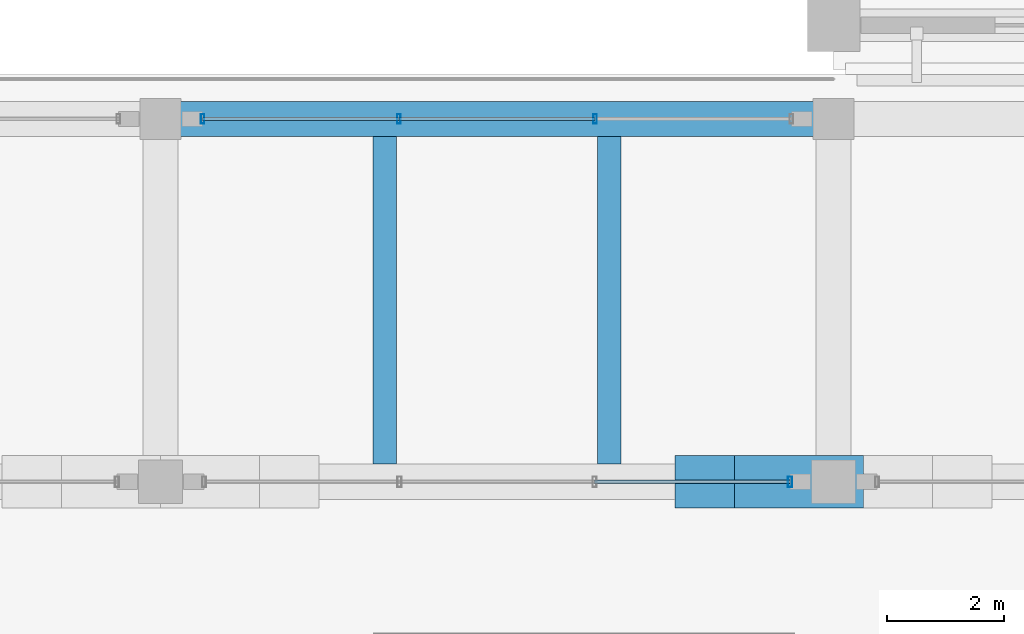
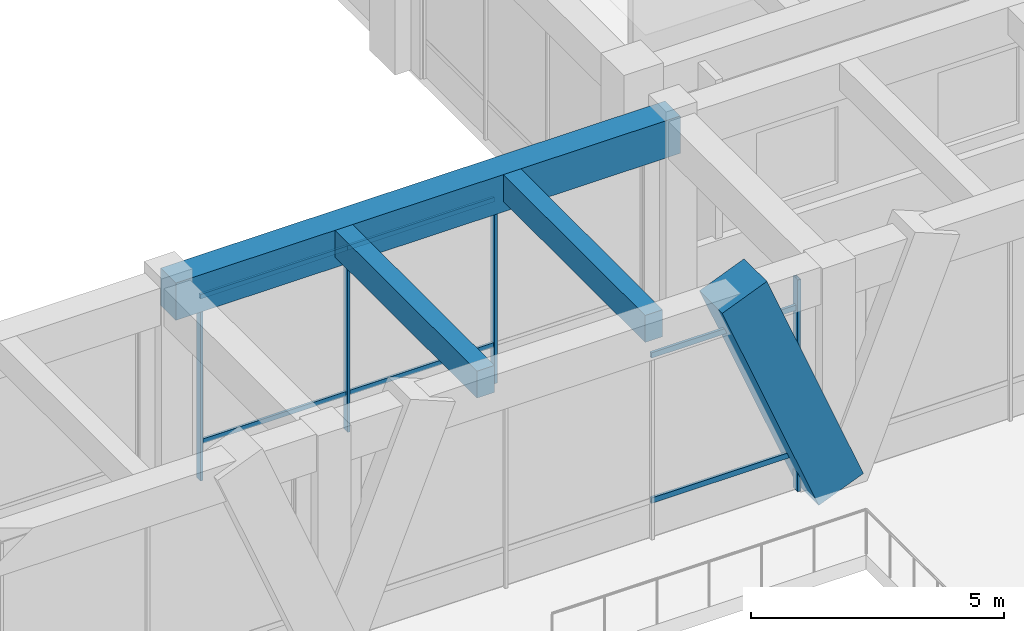
# One storey, part 72 of 148: 11 members, 3 beams, 2 elements without a shape of their own.
"""IFC4 building model written with IfcOpenShell, lengths in metres."""

from ifc_helpers import new_model, si_unit, direction, frame, origin, origin_2d, place, context, subcontext, project, spatial, rectangle, hollow_rectangle, extrude, material, material_profile, profile_set, type_object, element, aggregate, save


model = new_model("IFC4")

# Units and contexts
model_context = context("Model", 3, precision=1e-05, world=origin(), true_north=direction((0.0, 1.0)))
body_context = subcontext(model_context, "Body", "Model", "MODEL_VIEW")
ifc_project = project(units=[si_unit("LENGTHUNIT", "METRE"), si_unit("AREAUNIT", "SQUARE_METRE"), si_unit("VOLUMEUNIT", "CUBIC_METRE"), si_unit("PLANEANGLEUNIT", "RADIAN"), si_unit("MASSUNIT", "GRAM", prefix="KILO")], contexts=[model_context])

# Site, building, storey
site_placement = place(None, origin())
site = spatial("IfcSite", under=ifc_project, at=site_placement, CompositionType="ELEMENT")
building_placement = place(site_placement, origin())
building = spatial("IfcBuilding", under=site, at=building_placement, Name="Ologun Quay Terminus", CompositionType="ELEMENT")
storey_placement = place(building_placement, frame((0.0, 0.0, 8.39990234375)))
storey = spatial("IfcBuildingStorey", under=building, at=storey_placement, Name="L02", CompositionType="ELEMENT", Elevation=8.39990234375)

# Curtain wall, members
ifc_material_1 = material(Name="Aluminium 6063-T6", Category="aluminium")
curtain_wall_type_1 = type_object("IfcCurtainWallType", Name="Train Shed North Clerestory Curtain Wall 10700x4850", PredefinedType="USERDEFINED", material=ifc_material_1)
curtain_wall_1_placement = place(storey_placement, origin())
curtain_wall_1 = element("IfcCurtainWall", 1, at=curtain_wall_1_placement, inside=storey, type_object=curtain_wall_type_1, Name="CW-09 Curtain Wall CW-L02-063", ObjectType="UNITISED CURTAIN WALL", PredefinedType="USERDEFINED")
ifc_material_2 = material(Name="Aluminium 6063-T6", Category="aluminium")
ifc_material_profile_1 = material_profile(ifc_material_2, hollow_rectangle(XDim=0.070068359375, YDim=0.179931640625, WallThickness=0.0048828125, at=origin_2d()), Name="ALU 180x70x5")
ifc_profile_set_1 = profile_set([ifc_material_profile_1], Name="Aluminium 6063-T6")
member_type_1 = type_object("IfcMemberType", Name="Concourse Clerestory Mullion 180x70", PredefinedType="MULLION", material=ifc_profile_set_1)
member_1_placement = place(storey_placement, frame((114.2548828125, 78.0, 0.0), z_axis=(0.0, 0.0, 1.0), x_axis=(1.0, 0.0, 0.0)))
member_1 = element("IfcMember", 2, at=member_1_placement, type_object=member_type_1, Name="CW-L02-063 Mullion 4", PredefinedType="MULLION", context=body_context, shape_type="SweptSolid", body=[
    extrude(hollow_rectangle(XDim=0.070068359375, YDim=0.179931640625, WallThickness=0.0048828125, at=origin_2d()), origin(), (0.0, 0.0, 1.0), 5.10009765625),
])
ifc_material_3 = material(Name="Aluminium 6063-T6", Category="aluminium")
ifc_material_profile_2 = material_profile(ifc_material_3, hollow_rectangle(XDim=0.06005859375, YDim=0.1298828125, WallThickness=0.00390625, at=origin_2d()), Name="ALU 130x60x4")
ifc_profile_set_2 = profile_set([ifc_material_profile_2], Name="Aluminium 6063-T6")
member_type_2 = type_object("IfcMemberType", Name="Concourse Clerestory Transom 130x60", PredefinedType="USERDEFINED", material=ifc_profile_set_2)
member_2_placement = place(storey_placement, frame((110.918212890625, 78.0, 0.900146484375), z_axis=(1.0, 0.0, 0.0), x_axis=(0.0, 1.0, 0.0)))
member_2 = element("IfcMember", 3, at=member_2_placement, type_object=member_type_2, Name="CW-L02-063 Transom B3-1", ObjectType="TRANSOM", PredefinedType="USERDEFINED", context=body_context, shape_type="SweptSolid", body=[
    extrude(hollow_rectangle(XDim=0.06005859375, YDim=0.1298828125, WallThickness=0.00390625, at=origin_2d()), origin(), (0.0, 0.0, 1.0), 3.336669921875),
])
member_3_placement = place(storey_placement, frame((110.918212890625, 78.0, 4.400146484375), z_axis=(1.0, 0.0, 0.0), x_axis=(0.0, 1.0, 0.0)))
member_3 = element("IfcMember", 4, at=member_3_placement, type_object=member_type_2, Name="CW-L02-063 Transom B3-2", ObjectType="TRANSOM", PredefinedType="USERDEFINED", context=body_context, shape_type="SweptSolid", body=[
    extrude(hollow_rectangle(XDim=0.06005859375, YDim=0.1298828125, WallThickness=0.00390625, at=origin_2d()), origin(), (0.0, 0.0, 1.0), 3.336669921875),
])
aggregate(curtain_wall_1, [member_1, member_2, member_3])

ifc_material_4 = material(Name="Aluminium 6063-T6", Category="aluminium")
curtain_wall_type_2 = type_object("IfcCurtainWallType", Name="Courtyard Overlook Concourse Curtain Wall 10700x4750", PredefinedType="USERDEFINED", material=ifc_material_4)
curtain_wall_2_placement = place(storey_placement, origin())
curtain_wall_2 = element("IfcCurtainWall", 5, at=curtain_wall_2_placement, inside=storey, type_object=curtain_wall_type_2, Name="CW-12 Curtain Wall CW-L02-083", ObjectType="UNITISED CURTAIN WALL", PredefinedType="USERDEFINED")
ifc_material_5 = material(Name="Aluminium 6063-T6", Category="aluminium")
ifc_material_profile_3 = material_profile(ifc_material_5, hollow_rectangle(XDim=0.06005859375, YDim=0.159912109375, WallThickness=0.00390625, at=origin_2d()), Name="ALU 160x60x4")
ifc_profile_set_3 = profile_set([ifc_material_profile_3], Name="Aluminium 6063-T6")
member_type_3 = type_object("IfcMemberType", Name="Courtyard Screen Mullion 160x65", PredefinedType="MULLION", material=ifc_profile_set_3)
member_4_placement = place(storey_placement, frame((104.219970703125, 84.199951171875, 0.0), z_axis=(0.0, 0.0, 1.0), x_axis=(1.0, 0.0, 0.0)))
member_4 = element("IfcMember", 6, at=member_4_placement, type_object=member_type_3, Name="CW-L02-083 Mullion 1", PredefinedType="MULLION", context=body_context, shape_type="SweptSolid", body=[
    extrude(hollow_rectangle(XDim=0.06005859375, YDim=0.159912109375, WallThickness=0.00390625, at=origin_2d()), origin(), (0.0, 0.0, 1.0), 5.10009765625),
])
member_5_placement = place(storey_placement, frame((107.5732421875, 84.199951171875, 0.0), z_axis=(0.0, 0.0, 1.0), x_axis=(1.0, 0.0, 0.0)))
member_5 = element("IfcMember", 7, at=member_5_placement, type_object=member_type_3, Name="CW-L02-083 Mullion 2", PredefinedType="MULLION", context=body_context, shape_type="SweptSolid", body=[
    extrude(hollow_rectangle(XDim=0.06005859375, YDim=0.159912109375, WallThickness=0.00390625, at=origin_2d()), origin(), (0.0, 0.0, 1.0), 5.10009765625),
])
member_6_placement = place(storey_placement, frame((110.9267578125, 84.199951171875, 0.0), z_axis=(0.0, 0.0, 1.0), x_axis=(1.0, 0.0, 0.0)))
member_6 = element("IfcMember", 8, at=member_6_placement, type_object=member_type_3, Name="CW-L02-083 Mullion 3", PredefinedType="MULLION", context=body_context, shape_type="SweptSolid", body=[
    extrude(hollow_rectangle(XDim=0.06005859375, YDim=0.159912109375, WallThickness=0.00390625, at=origin_2d()), origin(), (0.0, 0.0, 1.0), 5.10009765625),
])
ifc_material_6 = material(Name="Aluminium 6063-T6", Category="aluminium")
ifc_material_profile_4 = material_profile(ifc_material_6, hollow_rectangle(XDim=0.054931640625, YDim=0.110107421875, WallThickness=0.00390625, at=origin_2d()), Name="ALU 110x55x4")
ifc_profile_set_4 = profile_set([ifc_material_profile_4], Name="Aluminium 6063-T6")
member_type_4 = type_object("IfcMemberType", Name="Courtyard Screen Transom 110x55", PredefinedType="USERDEFINED", material=ifc_profile_set_4)
member_7_placement = place(storey_placement, frame((104.219970703125, 84.199951171875, 0.900146484375), z_axis=(1.0, 0.0, 0.0), x_axis=(0.0, 1.0, 0.0)))
member_7 = element("IfcMember", 9, at=member_7_placement, type_object=member_type_4, Name="CW-L02-083 Transom B1-1", ObjectType="TRANSOM", PredefinedType="USERDEFINED", context=body_context, shape_type="SweptSolid", body=[
    extrude(hollow_rectangle(XDim=0.054931640625, YDim=0.110107421875, WallThickness=0.00390625, at=origin_2d()), origin(), (0.0, 0.0, 1.0), 3.353271484375),
])
member_8_placement = place(storey_placement, frame((104.219970703125, 84.199951171875, 4.400146484375), z_axis=(1.0, 0.0, 0.0), x_axis=(0.0, 1.0, 0.0)))
member_8 = element("IfcMember", 10, at=member_8_placement, type_object=member_type_4, Name="CW-L02-083 Transom B1-2", ObjectType="TRANSOM", PredefinedType="USERDEFINED", context=body_context, shape_type="SweptSolid", body=[
    extrude(hollow_rectangle(XDim=0.054931640625, YDim=0.110107421875, WallThickness=0.00390625, at=origin_2d()), origin(), (0.0, 0.0, 1.0), 3.353271484375),
])
member_9_placement = place(storey_placement, frame((107.5732421875, 84.199951171875, 0.900146484375), z_axis=(1.0, 0.0, 0.0), x_axis=(0.0, 1.0, 0.0)))
member_9 = element("IfcMember", 11, at=member_9_placement, type_object=member_type_4, Name="CW-L02-083 Transom B2-1", ObjectType="TRANSOM", PredefinedType="USERDEFINED", context=body_context, shape_type="SweptSolid", body=[
    extrude(hollow_rectangle(XDim=0.054931640625, YDim=0.110107421875, WallThickness=0.00390625, at=origin_2d()), origin(), (0.0, 0.0, 1.0), 3.353515625),
])
member_10_placement = place(storey_placement, frame((107.5732421875, 84.199951171875, 4.400146484375), z_axis=(1.0, 0.0, 0.0), x_axis=(0.0, 1.0, 0.0)))
member_10 = element("IfcMember", 12, at=member_10_placement, type_object=member_type_4, Name="CW-L02-083 Transom B2-2", ObjectType="TRANSOM", PredefinedType="USERDEFINED", context=body_context, shape_type="SweptSolid", body=[
    extrude(hollow_rectangle(XDim=0.054931640625, YDim=0.110107421875, WallThickness=0.00390625, at=origin_2d()), origin(), (0.0, 0.0, 1.0), 3.353515625),
])
aggregate(curtain_wall_2, [member_4, member_5, member_6, member_7, member_8, member_9, member_10])

# Member
ifc_material_7 = material(Name="Concrete C45/55", Category="concrete")
ifc_material_profile_5 = material_profile(ifc_material_7, rectangle(XDim=0.89990234375, YDim=1.10009765625, at=origin_2d()), Name="RC 900x1100")
ifc_profile_set_5 = profile_set([ifc_material_profile_5], Name="Concrete C45/55")
member_type_5 = type_object("IfcMemberType", Name="Sculpted Concrete Arch V-Buttress Strut 900x1100", PredefinedType="STRUT", material=ifc_profile_set_5)
member_11_placement = place(storey_placement, frame((115.0, 78.0, 0.0), z_axis=(-0.377280927807, 0.0, 0.926098861631), x_axis=(0.0, -1.0, 0.0)))
element("IfcMember", 13, at=member_11_placement, inside=storey, type_object=member_type_5, Name="VS1 Arch V-Buttress West Limb 11/F", PredefinedType="STRUT", context=body_context, shape_type="SweptSolid", body=[
    extrude(rectangle(XDim=0.89990234375, YDim=1.10009765625, at=origin_2d()), origin(), (0.0, 0.0, 1.0), 5.8310546875),
])

# Beams
ifc_material_8 = material(Name="Concrete C40/50", Category="concrete")
ifc_material_profile_6 = material_profile(ifc_material_8, rectangle(XDim=0.60009765625, YDim=0.89990234375, at=origin_2d()), Name="RC 600x900")
ifc_profile_set_6 = profile_set([ifc_material_profile_6], Name="Concrete C40/50")
beam_type_1 = type_object("IfcBeamType", Name="Station Frame Girder 600x900", PredefinedType="BEAM", material=ifc_profile_set_6)
beam_placement = place(storey_placement, frame((103.5, 84.199951171875, 4.7001953125), z_axis=(1.0, 0.0, 0.0), x_axis=(0.0, 1.0, 0.0)))
element("IfcBeam", 14, at=beam_placement, inside=storey, type_object=beam_type_1, Name="B3 Beam 10/G1 L02", PredefinedType="BEAM", context=body_context, shape_type="SweptSolid", body=[
    extrude(rectangle(XDim=0.60009765625, YDim=0.89990234375, at=origin_2d()), origin(), (0.0, 0.0, 1.0), 11.5),
])
ifc_material_9 = material(Name="Concrete C40/50", Category="concrete")
ifc_material_profile_7 = material_profile(ifc_material_9, rectangle(XDim=0.39990234375, YDim=0.64990234375, at=origin_2d()), Name="RC 400x650")
ifc_profile_set_7 = profile_set([ifc_material_profile_7], Name="Concrete C40/50")
beam_type_2 = type_object("IfcBeamType", Name="Station Secondary Joist 400x650", PredefinedType="JOIST", material=ifc_profile_set_7)
for number, where, z_axis, x_axis, name in (
    (15, (107.333251953125, 78.300048828125, 4.8251953125), (0.0, 1.0, 0.0), (-1.0, 0.0, 0.0), "J1 Beam 10/F L02"),
    (16, (111.166748046875, 78.300048828125, 4.8251953125), (0.0, 1.0, 0.0), (-1.0, 0.0, 0.0), "J1 Beam 10/F L02"),
):
    element("IfcBeam", number, at=place(storey_placement, frame(where, z_axis=z_axis, x_axis=x_axis)), inside=storey, type_object=beam_type_2, Name=name, PredefinedType="JOIST", context=body_context, shape_type="SweptSolid", body=[
        extrude(rectangle(XDim=0.39990234375, YDim=0.64990234375, at=origin_2d()), origin(), (0.0, 0.0, 1.0), 5.599853515625),
    ])

save(model, "model.ifc")
